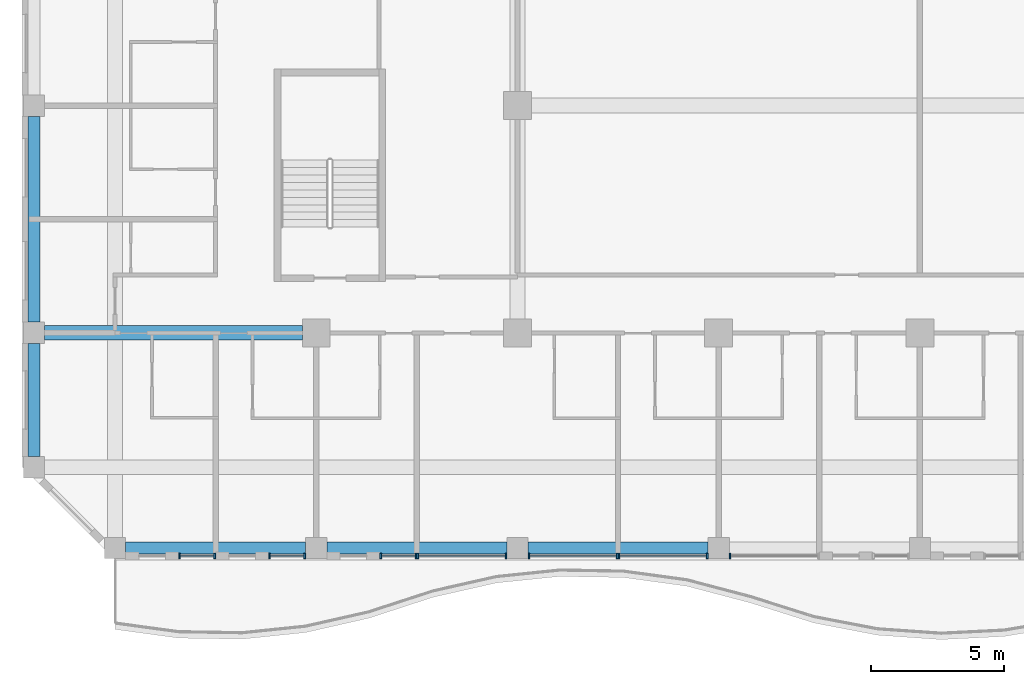
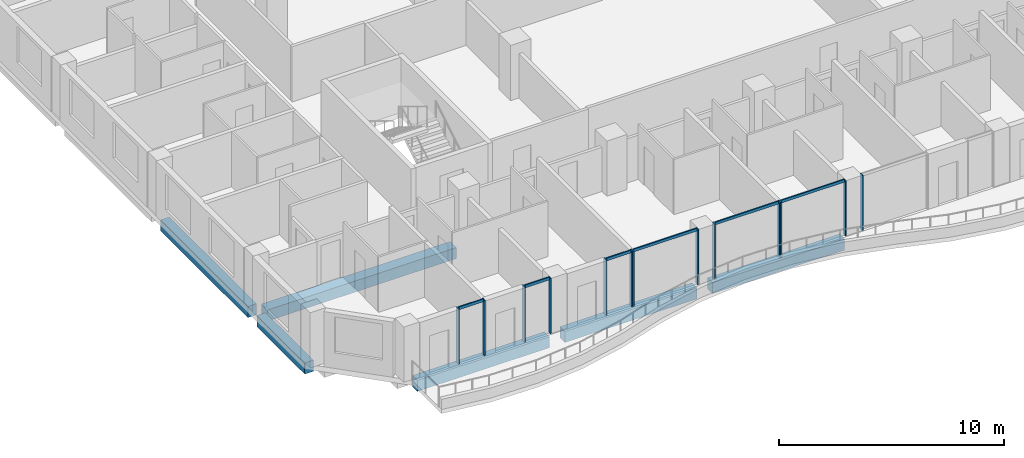
# One storey, part 2 of 24: 19 members, 6 beams, 7 elements without a shape of their own.
"""IFC4 building model written with IfcOpenShell, lengths in metres."""

from ifc_helpers import new_model, si_unit, direction, frame, origin, origin_2d, place, context, subcontext, project, spatial, rectangle, extrude, source, transform, mapped, material, material_profile, profile_set, type_object, element, aggregate, save


model = new_model("IFC4")

# Units and contexts
model_context = context("Model", 3, precision=1e-05, world=origin(), true_north=direction((0.0, 1.0)))
body_context = subcontext(model_context, "Body", "Model", "MODEL_VIEW")
ifc_project = project(units=[si_unit("LENGTHUNIT", "METRE"), si_unit("AREAUNIT", "SQUARE_METRE"), si_unit("VOLUMEUNIT", "CUBIC_METRE"), si_unit("PLANEANGLEUNIT", "RADIAN"), si_unit("MASSUNIT", "GRAM", prefix="KILO")], contexts=[model_context])

# Site, building, storey
site_placement = place(None, origin())
site = spatial("IfcSite", under=ifc_project, at=site_placement, CompositionType="ELEMENT")
building_placement = place(site_placement, origin())
building = spatial("IfcBuilding", under=site, at=building_placement, Name="Kilnfold Tower and Market Hall", CompositionType="ELEMENT")
storey_placement = place(building_placement, frame((0.0, 0.0, 192.300048828125)))
storey = spatial("IfcBuildingStorey", under=building, at=storey_placement, Name="L46", CompositionType="ELEMENT", Elevation=192.300048828125)

# Beams
ifc_material_1 = material(Name="Concrete C45", Category="concrete")
ifc_material_profile_1 = material_profile(ifc_material_1, rectangle(XDim=0.449951171875, YDim=0.60009765625, at=origin_2d()), Name="RC 450x600")
ifc_profile_set_1 = profile_set([ifc_material_profile_1], Name="Concrete C45")
beam_type_1 = type_object("IfcBeamType", Name="EDGE BEAM 450X600 C45", PredefinedType="BEAM", material=ifc_profile_set_1)
shared_shape_1 = source(origin(), body_context, "Body", "SweptSolid", [
    extrude(rectangle(XDim=0.449951171875, YDim=0.60009765625, at=origin_2d()), origin(), (0.0, 0.0, 1.0), 6.783447265625),
])
for number, where, z_axis, x_axis, name in (
    (1, (-23.35009765625, -25.800048828125, -0.580078125), (1.0, 0.0, 0.0), (0.0, 1.0, 0.0), "Beam EB600-B5.45"),
    (2, (-8.183349609375, -25.800048828125, -0.580078125), (1.0, 0.0, 0.0), (0.0, 1.0, 0.0), "Beam EB600-B5.47"),
):
    element("IfcBeam", number, at=place(storey_placement, frame(where, z_axis=z_axis, x_axis=x_axis)), inside=storey, type_object=beam_type_1, Name=name, PredefinedType="BEAM", context=body_context, shape_type="MappedRepresentation", body=[
        mapped(shared_shape_1, transform((0.0, 0.0, 0.0))),
    ])
shared_shape_2 = source(origin(), body_context, "Body", "SweptSolid", [
    extrude(rectangle(XDim=0.449951171875, YDim=0.60009765625, at=origin_2d()), origin(), (0.0, 0.0, 1.0), 6.783203125),
])
beam_1_placement = place(storey_placement, frame((-15.7666015625, -25.800048828125, -0.580078125), z_axis=(1.0, 0.0, 0.0), x_axis=(0.0, 1.0, 0.0)))
element("IfcBeam", 3, at=beam_1_placement, inside=storey, type_object=beam_type_1, Name="Beam EB600-B5.46", PredefinedType="BEAM", context=body_context, shape_type="MappedRepresentation", body=[
    mapped(shared_shape_2, transform((0.0, 0.0, 0.0))),
])
ifc_material_2 = material(Name="Concrete C45", Category="concrete")
ifc_material_profile_2 = material_profile(ifc_material_2, rectangle(XDim=0.550048828125, YDim=0.60009765625, at=origin_2d()), Name="RC 550x600")
ifc_profile_set_2 = profile_set([ifc_material_profile_2], Name="Concrete C45")
beam_type_2 = type_object("IfcBeamType", Name="BEAM 550X600 C45", PredefinedType="BEAM", material=ifc_profile_set_2)
shared_shape_3 = source(origin(), body_context, "Body", "SweptSolid", [
    extrude(rectangle(XDim=0.550048828125, YDim=0.60009765625, at=origin_2d()), origin(), (0.0, 0.0, 1.0), 9.708251953125),
])
beam_2_placement = place(storey_placement, frame((-26.39990234375, -17.68994140625, -0.580078125), z_axis=(1.0, 0.0, 0.0), x_axis=(0.0, 1.0, 0.0)))
element("IfcBeam", 4, at=beam_2_placement, inside=storey, type_object=beam_type_2, Name="Beam BB600-B5.52", PredefinedType="BEAM", context=body_context, shape_type="MappedRepresentation", body=[
    mapped(shared_shape_3, transform((0.0, 0.0, 0.0))),
])
shared_shape_4 = source(origin(), body_context, "Body", "SweptSolid", [
    extrude(rectangle(XDim=0.449951171875, YDim=0.60009765625, at=origin_2d()), origin(), (0.0, 0.0, 1.0), 4.2626953125),
])
beam_3_placement = place(storey_placement, frame((-26.800048828125, -22.35009765625, -0.580078125), z_axis=(0.0, 1.0, 0.0), x_axis=(-1.0, 0.0, 0.0)))
element("IfcBeam", 5, at=beam_3_placement, inside=storey, type_object=beam_type_1, Name="Beam EB600-B5.65", PredefinedType="BEAM", context=body_context, shape_type="MappedRepresentation", body=[
    mapped(shared_shape_4, transform((0.0, 0.0, 0.0))),
])
shared_shape_5 = source(origin(), body_context, "Body", "SweptSolid", [
    extrude(rectangle(XDim=0.449951171875, YDim=0.60009765625, at=origin_2d()), origin(), (0.0, 0.0, 1.0), 7.7626953125),
])
beam_4_placement = place(storey_placement, frame((-26.800048828125, -17.28759765625, -0.580078125), z_axis=(0.0, 1.0, 0.0), x_axis=(-1.0, 0.0, 0.0)))
element("IfcBeam", 6, at=beam_4_placement, inside=storey, type_object=beam_type_1, Name="Beam EB600-B5.66", PredefinedType="BEAM", context=body_context, shape_type="MappedRepresentation", body=[
    mapped(shared_shape_5, transform((0.0, 0.0, 0.0))),
])

# Curtain wall, members
ifc_material_3 = material(Name="Aluminium and double glazing", Category="aluminium")
curtain_wall_type = type_object("IfcCurtainWallType", Name="CW GARDEN HOTEL WINTER GARDEN", PredefinedType="NOTDEFINED", material=ifc_material_3)
curtain_wall_1_placement = place(storey_placement, origin())
curtain_wall_1 = element("IfcCurtainWall", 7, at=curtain_wall_1_placement, inside=storey, type_object=curtain_wall_type, Name="Curtain wall CW5 L46 S", PredefinedType="NOTDEFINED")
ifc_material_4 = material(Name="Aluminium", Category="aluminium")
ifc_material_profile_3 = material_profile(ifc_material_4, rectangle(XDim=0.06494140625, YDim=0.2099609375, at=origin_2d()), Name="MULLION 65x210")
ifc_profile_set_3 = profile_set([ifc_material_profile_3], Name="Aluminium")
member_type_1 = type_object("IfcMemberType", Name="MULLION 65X210", PredefinedType="MULLION", material=ifc_profile_set_3)
shared_shape_6 = source(origin(), body_context, "Body", "SweptSolid", [
    extrude(rectangle(XDim=0.06494140625, YDim=0.2099609375, at=origin_2d()), origin(), (0.0, 0.0, 1.0), 3.0),
])
member_1_placement = place(storey_placement, frame((-21.3173828125, -26.10009765625, 0.0), z_axis=(0.0, 0.0, 1.0), x_axis=(1.0, 0.0, 0.0)))
member_1 = element("IfcMember", 8, at=member_1_placement, type_object=member_type_1, Name="CW5 mullion 1", PredefinedType="MULLION", context=body_context, shape_type="MappedRepresentation", body=[
    mapped(shared_shape_6, transform((0.0, 0.0, 0.0))),
])
member_2_placement = place(storey_placement, frame((-19.990966796875, -26.10009765625, 0.0), z_axis=(0.0, 0.0, 1.0), x_axis=(1.0, 0.0, 0.0)))
member_2 = element("IfcMember", 9, at=member_2_placement, type_object=member_type_1, Name="CW5 mullion 2", PredefinedType="MULLION", context=body_context, shape_type="MappedRepresentation", body=[
    mapped(shared_shape_6, transform((0.0, 0.0, 0.0))),
])

curtain_wall_2_placement = place(storey_placement, origin())
curtain_wall_2 = element("IfcCurtainWall", 10, at=curtain_wall_2_placement, inside=storey, type_object=curtain_wall_type, Name="Curtain wall CW5 L46 S", PredefinedType="NOTDEFINED")
member_3_placement = place(storey_placement, frame((-17.92578125, -26.10009765625, 0.0), z_axis=(0.0, 0.0, 1.0), x_axis=(1.0, 0.0, 0.0)))
member_3 = element("IfcMember", 11, at=member_3_placement, type_object=member_type_1, Name="CW5 mullion 1", PredefinedType="MULLION", context=body_context, shape_type="MappedRepresentation", body=[
    mapped(shared_shape_6, transform((0.0, 0.0, 0.0))),
])
member_4_placement = place(storey_placement, frame((-16.59912109375, -26.10009765625, 0.0), z_axis=(0.0, 0.0, 1.0), x_axis=(1.0, 0.0, 0.0)))
member_4 = element("IfcMember", 12, at=member_4_placement, type_object=member_type_1, Name="CW5 mullion 2", PredefinedType="MULLION", context=body_context, shape_type="MappedRepresentation", body=[
    mapped(shared_shape_6, transform((0.0, 0.0, 0.0))),
])

curtain_wall_3_placement = place(storey_placement, origin())
curtain_wall_3 = element("IfcCurtainWall", 13, at=curtain_wall_3_placement, inside=storey, type_object=curtain_wall_type, Name="Curtain wall CW5 L46 S", PredefinedType="NOTDEFINED")
member_5_placement = place(storey_placement, frame((-13.734130859375, -26.10009765625, 0.0), z_axis=(0.0, 0.0, 1.0), x_axis=(1.0, 0.0, 0.0)))
member_5 = element("IfcMember", 14, at=member_5_placement, type_object=member_type_1, Name="CW5 mullion 1", PredefinedType="MULLION", context=body_context, shape_type="MappedRepresentation", body=[
    mapped(shared_shape_6, transform((0.0, 0.0, 0.0))),
])
member_6_placement = place(storey_placement, frame((-12.407470703125, -26.10009765625, 0.0), z_axis=(0.0, 0.0, 1.0), x_axis=(1.0, 0.0, 0.0)))
member_6 = element("IfcMember", 15, at=member_6_placement, type_object=member_type_1, Name="CW5 mullion 2", PredefinedType="MULLION", context=body_context, shape_type="MappedRepresentation", body=[
    mapped(shared_shape_6, transform((0.0, 0.0, 0.0))),
])

curtain_wall_4_placement = place(storey_placement, origin())
curtain_wall_4 = element("IfcCurtainWall", 16, at=curtain_wall_4_placement, inside=storey, type_object=curtain_wall_type, Name="Curtain wall CW5 L46 S", PredefinedType="NOTDEFINED")
member_7_placement = place(storey_placement, frame((-12.342529296875, -26.10009765625, 0.0), z_axis=(0.0, 0.0, 1.0), x_axis=(1.0, 0.0, 0.0)))
member_7 = element("IfcMember", 17, at=member_7_placement, type_object=member_type_1, Name="CW5 mullion 1", PredefinedType="MULLION", context=body_context, shape_type="MappedRepresentation", body=[
    mapped(shared_shape_6, transform((0.0, 0.0, 0.0))),
])
member_8_placement = place(storey_placement, frame((-9.015869140625, -26.10009765625, 0.0), z_axis=(0.0, 0.0, 1.0), x_axis=(1.0, 0.0, 0.0)))
member_8 = element("IfcMember", 18, at=member_8_placement, type_object=member_type_1, Name="CW5 mullion 2", PredefinedType="MULLION", context=body_context, shape_type="MappedRepresentation", body=[
    mapped(shared_shape_6, transform((0.0, 0.0, 0.0))),
])

curtain_wall_5_placement = place(storey_placement, origin())
curtain_wall_5 = element("IfcCurtainWall", 19, at=curtain_wall_5_placement, inside=storey, type_object=curtain_wall_type, Name="Curtain wall CW5 L46 S", PredefinedType="NOTDEFINED")
member_9_placement = place(storey_placement, frame((-8.15087890625, -26.10009765625, 0.0), z_axis=(0.0, 0.0, 1.0), x_axis=(1.0, 0.0, 0.0)))
member_9 = element("IfcMember", 20, at=member_9_placement, type_object=member_type_1, Name="CW5 mullion 1", PredefinedType="MULLION", context=body_context, shape_type="MappedRepresentation", body=[
    mapped(shared_shape_6, transform((0.0, 0.0, 0.0))),
])
member_10_placement = place(storey_placement, frame((-4.82421875, -26.10009765625, 0.0), z_axis=(0.0, 0.0, 1.0), x_axis=(1.0, 0.0, 0.0)))
member_10 = element("IfcMember", 21, at=member_10_placement, type_object=member_type_1, Name="CW5 mullion 2", PredefinedType="MULLION", context=body_context, shape_type="MappedRepresentation", body=[
    mapped(shared_shape_6, transform((0.0, 0.0, 0.0))),
])

curtain_wall_6_placement = place(storey_placement, origin())
curtain_wall_6 = element("IfcCurtainWall", 22, at=curtain_wall_6_placement, inside=storey, type_object=curtain_wall_type, Name="Curtain wall CW5 L46 S", PredefinedType="NOTDEFINED")
member_11_placement = place(storey_placement, frame((-4.759033203125, -26.10009765625, 0.0), z_axis=(0.0, 0.0, 1.0), x_axis=(1.0, 0.0, 0.0)))
member_11 = element("IfcMember", 23, at=member_11_placement, type_object=member_type_1, Name="CW5 mullion 1", PredefinedType="MULLION", context=body_context, shape_type="MappedRepresentation", body=[
    mapped(shared_shape_6, transform((0.0, 0.0, 0.0))),
])
member_12_placement = place(storey_placement, frame((-1.4326171875, -26.10009765625, 0.0), z_axis=(0.0, 0.0, 1.0), x_axis=(1.0, 0.0, 0.0)))
member_12 = element("IfcMember", 24, at=member_12_placement, type_object=member_type_1, Name="CW5 mullion 2", PredefinedType="MULLION", context=body_context, shape_type="MappedRepresentation", body=[
    mapped(shared_shape_6, transform((0.0, 0.0, 0.0))),
])

# Curtain wall, member
curtain_wall_7_placement = place(storey_placement, origin())
curtain_wall_7 = element("IfcCurtainWall", 25, at=curtain_wall_7_placement, inside=storey, type_object=curtain_wall_type, Name="Curtain wall CW5 L46 S", PredefinedType="NOTDEFINED")
member_13_placement = place(storey_placement, frame((-0.5673828125, -26.10009765625, 0.0), z_axis=(0.0, 0.0, 1.0), x_axis=(1.0, 0.0, 0.0)))
member_13 = element("IfcMember", 26, at=member_13_placement, type_object=member_type_1, Name="CW5 mullion 1", PredefinedType="MULLION", context=body_context, shape_type="MappedRepresentation", body=[
    mapped(shared_shape_6, transform((0.0, 0.0, 0.0))),
])
aggregate(curtain_wall_7, [member_13])

# Member
ifc_material_5 = material(Name="Aluminium", Category="aluminium")
ifc_material_profile_4 = material_profile(ifc_material_5, rectangle(XDim=0.06494140625, YDim=0.14990234375, at=origin_2d()), Name="TRANSOM 65x150")
ifc_profile_set_4 = profile_set([ifc_material_profile_4], Name="Aluminium")
member_type_2 = type_object("IfcMemberType", Name="TRANSOM 65X150", PredefinedType="USERDEFINED", material=ifc_profile_set_4)
shared_shape_7 = source(origin(), body_context, "Body", "SweptSolid", [
    extrude(rectangle(XDim=0.06494140625, YDim=0.14990234375, at=origin_2d()), origin(), (0.0, 0.0, 1.0), 3.261474609375),
])
member_14_placement = place(storey_placement, frame((-4.7265625, -26.10009765625, 2.967529296875), z_axis=(1.0, 0.0, 0.0), x_axis=(0.0, 1.0, 0.0)))
member_14 = element("IfcMember", 27, at=member_14_placement, type_object=member_type_2, Name="CW5 transom 1.2", ObjectType="TRANSOM", PredefinedType="USERDEFINED", context=body_context, shape_type="MappedRepresentation", body=[
    mapped(shared_shape_7, transform((0.0, 0.0, 0.0))),
])

aggregate(curtain_wall_6, [member_11, member_12, member_14])

shared_shape_8 = source(origin(), body_context, "Body", "SweptSolid", [
    extrude(rectangle(XDim=0.06494140625, YDim=0.14990234375, at=origin_2d()), origin(), (0.0, 0.0, 1.0), 1.26171875),
])
member_15_placement = place(storey_placement, frame((-17.893310546875, -26.10009765625, 2.967529296875), z_axis=(1.0, 0.0, 0.0), x_axis=(0.0, 1.0, 0.0)))
member_15 = element("IfcMember", 28, at=member_15_placement, type_object=member_type_2, Name="CW5 transom 1.2", ObjectType="TRANSOM", PredefinedType="USERDEFINED", context=body_context, shape_type="MappedRepresentation", body=[
    mapped(shared_shape_8, transform((0.0, 0.0, 0.0))),
])

aggregate(curtain_wall_2, [member_3, member_4, member_15])

member_16_placement = place(storey_placement, frame((-13.70166015625, -26.10009765625, 2.967529296875), z_axis=(1.0, 0.0, 0.0), x_axis=(0.0, 1.0, 0.0)))
member_16 = element("IfcMember", 29, at=member_16_placement, type_object=member_type_2, Name="CW5 transom 1.2", ObjectType="TRANSOM", PredefinedType="USERDEFINED", context=body_context, shape_type="MappedRepresentation", body=[
    mapped(shared_shape_8, transform((0.0, 0.0, 0.0))),
])

aggregate(curtain_wall_3, [member_5, member_6, member_16])

shared_shape_9 = source(origin(), body_context, "Body", "SweptSolid", [
    extrude(rectangle(XDim=0.06494140625, YDim=0.14990234375, at=origin_2d()), origin(), (0.0, 0.0, 1.0), 3.26171875),
])
member_17_placement = place(storey_placement, frame((-12.31005859375, -26.10009765625, 2.967529296875), z_axis=(1.0, 0.0, 0.0), x_axis=(0.0, 1.0, 0.0)))
member_17 = element("IfcMember", 30, at=member_17_placement, type_object=member_type_2, Name="CW5 transom 1.2", ObjectType="TRANSOM", PredefinedType="USERDEFINED", context=body_context, shape_type="MappedRepresentation", body=[
    mapped(shared_shape_9, transform((0.0, 0.0, 0.0))),
])

aggregate(curtain_wall_4, [member_7, member_8, member_17])

member_18_placement = place(storey_placement, frame((-8.118408203125, -26.10009765625, 2.967529296875), z_axis=(1.0, 0.0, 0.0), x_axis=(0.0, 1.0, 0.0)))
member_18 = element("IfcMember", 31, at=member_18_placement, type_object=member_type_2, Name="CW5 transom 1.2", ObjectType="TRANSOM", PredefinedType="USERDEFINED", context=body_context, shape_type="MappedRepresentation", body=[
    mapped(shared_shape_9, transform((0.0, 0.0, 0.0))),
])

aggregate(curtain_wall_5, [member_9, member_10, member_18])

shared_shape_10 = source(origin(), body_context, "Body", "SweptSolid", [
    extrude(rectangle(XDim=0.06494140625, YDim=0.14990234375, at=origin_2d()), origin(), (0.0, 0.0, 1.0), 1.261474609375),
])
member_19_placement = place(storey_placement, frame((-21.284912109375, -26.10009765625, 2.967529296875), z_axis=(1.0, 0.0, 0.0), x_axis=(0.0, 1.0, 0.0)))
member_19 = element("IfcMember", 32, at=member_19_placement, type_object=member_type_2, Name="CW5 transom 1.2", ObjectType="TRANSOM", PredefinedType="USERDEFINED", context=body_context, shape_type="MappedRepresentation", body=[
    mapped(shared_shape_10, transform((0.0, 0.0, 0.0))),
])

aggregate(curtain_wall_1, [member_1, member_2, member_19])

save(model, "model.ifc")
